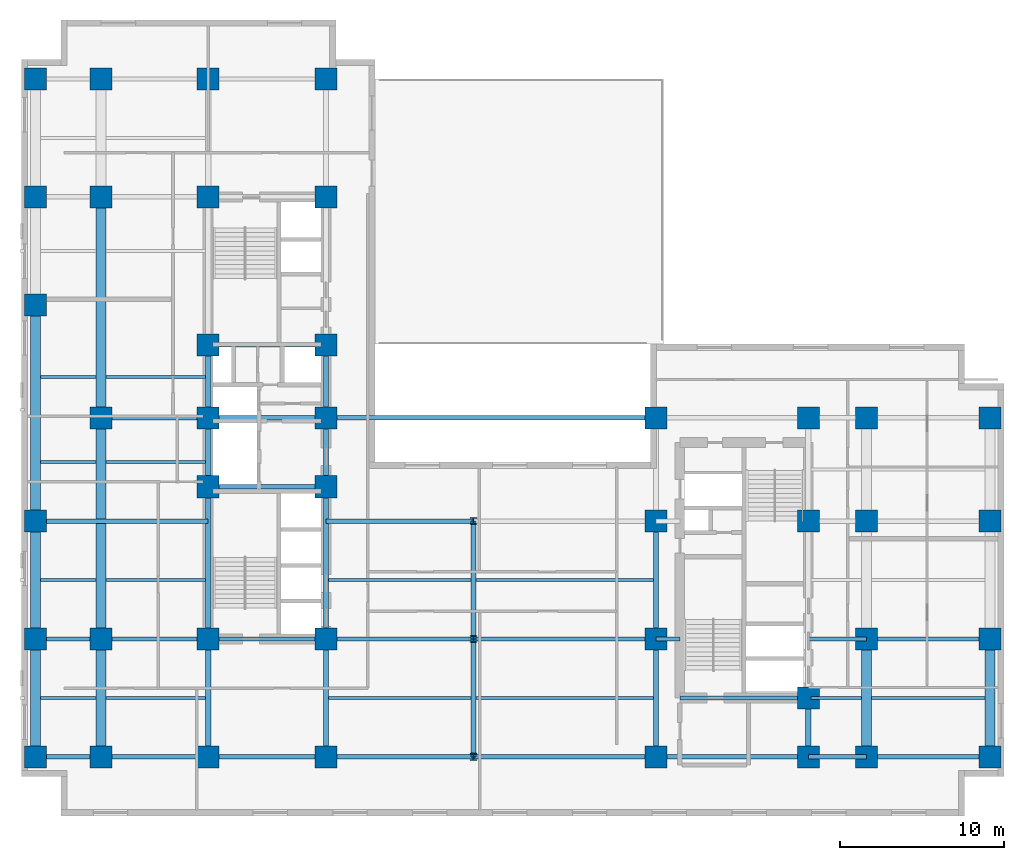
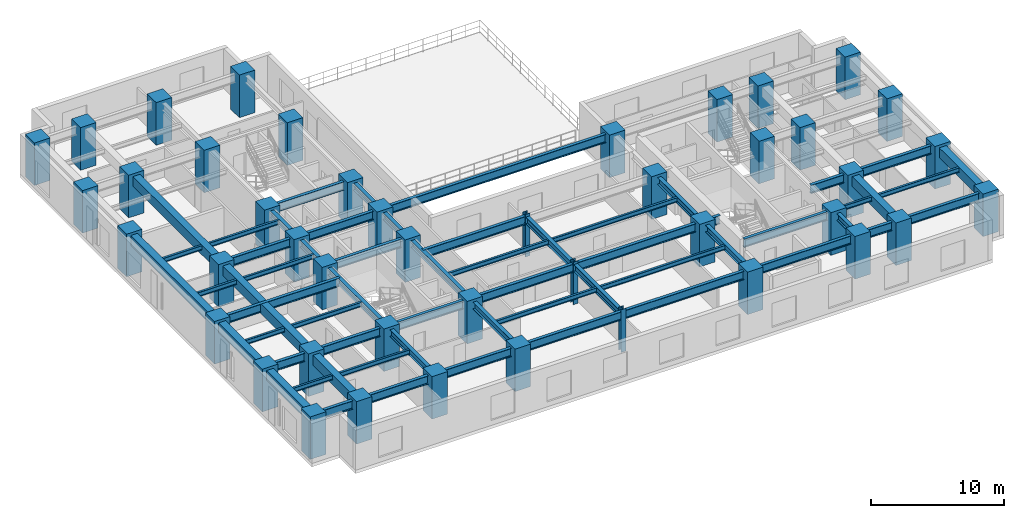
# One storey, part 1 of 10: 59 beams, 44 columns.
"""IFC4 building model written with IfcOpenShell, lengths in metres."""

from ifc_helpers import new_model, entity, si_unit, converted_unit, direction, frame, origin_with_axes, origin_2d_with_axis, place, context, subcontext, project, spatial, rectangle, i_section, extrude, material, material_profile, profile_set, type_object, element, save


model = new_model("IFC4")

# Units and contexts
model_context = context("Model", 3, precision=1e-05, world=origin_with_axes(), true_north=direction((0.0, 1.0)))
body_context = subcontext(model_context, "Body", "Model", "MODEL_VIEW")
ifc_project = project(units=[si_unit("LENGTHUNIT", "METRE"), si_unit("AREAUNIT", "SQUARE_METRE"), si_unit("VOLUMEUNIT", "CUBIC_METRE"), converted_unit("PLANEANGLEUNIT", "DEGREE", entity("IfcPlaneAngleMeasure", 0.017453292519943295), si_unit("PLANEANGLEUNIT", "RADIAN"), dimensions=[0, 0, 0, 0, 0, 0, 0]), si_unit("MASSUNIT", "GRAM", prefix="KILO"), si_unit("THERMODYNAMICTEMPERATUREUNIT", "KELVIN")], contexts=[model_context])

# Site, building, storey
site_placement = place(None, origin_with_axes())
site = spatial("IfcSite", under=ifc_project, at=site_placement, CompositionType="ELEMENT")
building_placement = place(site_placement, origin_with_axes())
building = spatial("IfcBuilding", under=site, at=building_placement, Name="Varnlund Millrace Tower", CompositionType="ELEMENT")
storey_placement = place(building_placement, frame((0.0, 0.0, 28.8), z_axis=(0.0, 0.0, 1.0), x_axis=(1.0, 0.0, 0.0)))
storey = spatial("IfcBuildingStorey", under=building, at=storey_placement, Name="L06", CompositionType="ELEMENT", Elevation=28.8)

# Columns
ifc_material_1 = material(Name="Steel ASTM A913 Grade 65", Category="steel")
ifc_material_profile_1 = material_profile(ifc_material_1, i_section(OverallWidth=0.406, OverallDepth=0.416, WebThickness=0.0298, FlangeThickness=0.048, FilletRadius=0.022, at=origin_2d_with_axis()), Name="Steel ASTM A913 Grade 65")
ifc_profile_set_1 = profile_set([ifc_material_profile_1], Name="Steel ASTM A913 Grade 65")
column_type_1 = type_object("IfcColumnType", Name="Type-Col-Int-W14X257", PredefinedType="COLUMN", material=ifc_profile_set_1)
for number, where, z_axis, x_axis, name in (
    (1, (27.6, 3.6, 0.0), (0.0, 0.0, 1.0), (1.0, 0.0, 0.0), "Type-Col-Int-W14X257"),
    (2, (27.6, 10.8, 0.0), (0.0, 0.0, 1.0), (1.0, 0.0, 0.0), "Type-Col-Int-W14X257"),
    (3, (27.6, 18.0, 0.0), (0.0, 0.0, 1.0), (1.0, 0.0, 0.0), "Type-Col-Int-W14X257"),
):
    element("IfcColumn", number, at=place(storey_placement, frame(where, z_axis=z_axis, x_axis=x_axis)), inside=storey, type_object=column_type_1, Name=name, PredefinedType="COLUMN", context=body_context, shape_type="SweptSolid", body=[
        extrude(i_section(OverallWidth=0.406, OverallDepth=0.416, WebThickness=0.0298, FlangeThickness=0.048, FilletRadius=0.022, at=origin_2d_with_axis()), origin_with_axes(), (0.0, 0.0, 1.0), 3.9),
    ])
ifc_material_2 = material(Name="Concrete C80/95", Category="concrete")
ifc_material_profile_2 = material_profile(ifc_material_2, rectangle(XDim=1.35, YDim=1.35, at=origin_2d_with_axis()), Name="Concrete C80/95")
ifc_profile_set_2 = profile_set([ifc_material_profile_2], Name="Concrete C80/95")
column_type_2 = type_object("IfcColumnType", Name="Type-Col-RC1350-C80", PredefinedType="COLUMN", material=ifc_profile_set_2)
for number, where, z_axis, x_axis, name in (
    (4, (11.4, 3.6, 0.0), (0.0, 0.0, 1.0), (1.0, 0.0, 0.0), "Type-Col-RC1350-C80"),
    (5, (11.4, 10.8, 0.0), (0.0, 0.0, 1.0), (1.0, 0.0, 0.0), "Type-Col-RC1350-C80"),
    (6, (11.4, 20.1, 0.0), (0.0, 0.0, 1.0), (1.0, 0.0, 0.0), "Type-Col-RC1350-C80"),
    (7, (11.4, 24.3, 0.0), (0.0, 0.0, 1.0), (1.0, 0.0, 0.0), "Type-Col-RC1350-C80"),
    (8, (11.4, 28.75, 0.0), (0.0, 0.0, 1.0), (1.0, 0.0, 0.0), "Type-Col-RC1350-C80"),
    (9, (11.4, 37.8, 0.0), (0.0, 0.0, 1.0), (1.0, 0.0, 0.0), "Type-Col-RC1350-C80"),
    (10, (11.4, 45.0, 0.0), (0.0, 0.0, 1.0), (1.0, 0.0, 0.0), "Type-Col-RC1350-C80"),
    (11, (18.6, 3.6, 0.0), (0.0, 0.0, 1.0), (1.0, 0.0, 0.0), "Type-Col-RC1350-C80"),
    (12, (18.6, 10.8, 0.0), (0.0, 0.0, 1.0), (1.0, 0.0, 0.0), "Type-Col-RC1350-C80"),
    (13, (18.6, 20.1, 0.0), (0.0, 0.0, 1.0), (1.0, 0.0, 0.0), "Type-Col-RC1350-C80"),
    (14, (18.6, 24.3, 0.0), (0.0, 0.0, 1.0), (1.0, 0.0, 0.0), "Type-Col-RC1350-C80"),
    (15, (18.6, 28.75, 0.0), (0.0, 0.0, 1.0), (1.0, 0.0, 0.0), "Type-Col-RC1350-C80"),
    (16, (18.6, 37.8, 0.0), (0.0, 0.0, 1.0), (1.0, 0.0, 0.0), "Type-Col-RC1350-C80"),
    (17, (18.6, 45.0, 0.0), (0.0, 0.0, 1.0), (1.0, 0.0, 0.0), "Type-Col-RC1350-C80"),
    (18, (4.85, 3.6, 0.0), (0.0, 0.0, 1.0), (1.0, 0.0, 0.0), "Type-Col-RC1350-C80"),
    (19, (4.85, 10.8, 0.0), (0.0, 0.0, 1.0), (1.0, 0.0, 0.0), "Type-Col-RC1350-C80"),
    (20, (4.85, 24.3, 0.0), (0.0, 0.0, 1.0), (1.0, 0.0, 0.0), "Type-Col-RC1350-C80"),
    (21, (4.85, 37.8, 0.0), (0.0, 0.0, 1.0), (1.0, 0.0, 0.0), "Type-Col-RC1350-C80"),
    (22, (4.85, 45.0, 0.0), (0.0, 0.0, 1.0), (1.0, 0.0, 0.0), "Type-Col-RC1350-C80"),
    (23, (0.85, 3.6, 0.0), (0.0, 0.0, 1.0), (1.0, 0.0, 0.0), "Type-Col-RC1350-C80"),
    (24, (0.85, 10.8, 0.0), (0.0, 0.0, 1.0), (1.0, 0.0, 0.0), "Type-Col-RC1350-C80"),
    (25, (0.85, 18.0, 0.0), (0.0, 0.0, 1.0), (1.0, 0.0, 0.0), "Type-Col-RC1350-C80"),
    (26, (0.85, 31.2, 0.0), (0.0, 0.0, 1.0), (1.0, 0.0, 0.0), "Type-Col-RC1350-C80"),
    (27, (0.85, 37.8, 0.0), (0.0, 0.0, 1.0), (1.0, 0.0, 0.0), "Type-Col-RC1350-C80"),
    (28, (0.85, 45.0, 0.0), (0.0, 0.0, 1.0), (1.0, 0.0, 0.0), "Type-Col-RC1350-C80"),
    (29, (38.75, 3.6, 0.0), (0.0, 0.0, 1.0), (1.0, 0.0, 0.0), "Type-Col-RC1350-C80"),
    (30, (38.75, 10.8, 0.0), (0.0, 0.0, 1.0), (1.0, 0.0, 0.0), "Type-Col-RC1350-C80"),
    (31, (38.75, 18.0, 0.0), (0.0, 0.0, 1.0), (1.0, 0.0, 0.0), "Type-Col-RC1350-C80"),
    (32, (38.75, 24.3, 0.0), (0.0, 0.0, 1.0), (1.0, 0.0, 0.0), "Type-Col-RC1350-C80"),
    (33, (48.05, 3.6, 0.0), (0.0, 0.0, 1.0), (1.0, 0.0, 0.0), "Type-Col-RC1350-C80"),
    (34, (48.05, 7.2, 0.0), (0.0, 0.0, 1.0), (1.0, 0.0, 0.0), "Type-Col-RC1350-C80"),
    (35, (48.05, 18.0, 0.0), (0.0, 0.0, 1.0), (1.0, 0.0, 0.0), "Type-Col-RC1350-C80"),
    (36, (48.05, 24.3, 0.0), (0.0, 0.0, 1.0), (1.0, 0.0, 0.0), "Type-Col-RC1350-C80"),
    (37, (51.6, 3.6, 0.0), (0.0, 0.0, 1.0), (1.0, 0.0, 0.0), "Type-Col-RC1350-C80"),
    (38, (51.6, 10.8, 0.0), (0.0, 0.0, 1.0), (1.0, 0.0, 0.0), "Type-Col-RC1350-C80"),
    (39, (51.6, 18.0, 0.0), (0.0, 0.0, 1.0), (1.0, 0.0, 0.0), "Type-Col-RC1350-C80"),
    (40, (51.6, 24.3, 0.0), (0.0, 0.0, 1.0), (1.0, 0.0, 0.0), "Type-Col-RC1350-C80"),
    (41, (59.15, 3.6, 0.0), (0.0, 0.0, 1.0), (1.0, 0.0, 0.0), "Type-Col-RC1350-C80"),
    (42, (59.15, 10.8, 0.0), (0.0, 0.0, 1.0), (1.0, 0.0, 0.0), "Type-Col-RC1350-C80"),
    (43, (59.15, 18.0, 0.0), (0.0, 0.0, 1.0), (1.0, 0.0, 0.0), "Type-Col-RC1350-C80"),
    (44, (59.15, 24.3, 0.0), (0.0, 0.0, 1.0), (1.0, 0.0, 0.0), "Type-Col-RC1350-C80"),
):
    element("IfcColumn", number, at=place(storey_placement, frame(where, z_axis=z_axis, x_axis=x_axis)), inside=storey, type_object=column_type_2, Name=name, PredefinedType="COLUMN", context=body_context, shape_type="SweptSolid", body=[
        extrude(rectangle(XDim=1.35, YDim=1.35, at=origin_2d_with_axis()), origin_with_axes(), (0.0, 0.0, 1.0), 3.9),
    ])

# Beams
ifc_material_3 = material(Name="Steel ASTM A992 Grade 50", Category="steel")
ifc_material_profile_3 = material_profile(ifc_material_3, i_section(OverallWidth=0.328, OverallDepth=0.628, WebThickness=0.0165, FlangeThickness=0.0277, FilletRadius=0.018, at=origin_2d_with_axis()), Name="Steel ASTM A992 Grade 50")
ifc_profile_set_3 = profile_set([ifc_material_profile_3], Name="Steel ASTM A992 Grade 50")
beam_type_1 = type_object("IfcBeamType", Name="Type-Girder-W24X146", PredefinedType="USERDEFINED", material=ifc_profile_set_3)
beam_1_placement = place(storey_placement, frame((11.4, 3.6, 3.346), z_axis=(0.0, 1.0, 0.0), x_axis=(-1.0, 0.0, 0.0)))
element("IfcBeam", 45, at=beam_1_placement, inside=storey, type_object=beam_type_1, Name="Type-Girder-W24X146", ObjectType="GIRDER", PredefinedType="USERDEFINED", context=body_context, shape_type="SweptSolid", body=[
    extrude(i_section(OverallWidth=0.328, OverallDepth=0.628, WebThickness=0.0165, FlangeThickness=0.0277, FilletRadius=0.018, at=origin_2d_with_axis()), origin_with_axes(), (0.0, 0.0, 1.0), 7.2),
])
beam_2_placement = place(storey_placement, frame((11.4, 10.8, 3.346), z_axis=(0.0, 1.0, 0.0), x_axis=(-1.0, 0.0, 0.0)))
element("IfcBeam", 46, at=beam_2_placement, inside=storey, type_object=beam_type_1, Name="Type-Girder-W24X146", ObjectType="GIRDER", PredefinedType="USERDEFINED", context=body_context, shape_type="SweptSolid", body=[
    extrude(i_section(OverallWidth=0.328, OverallDepth=0.628, WebThickness=0.0165, FlangeThickness=0.0277, FilletRadius=0.018, at=origin_2d_with_axis()), origin_with_axes(), (0.0, 0.0, 1.0), 9.3),
])
beam_3_placement = place(storey_placement, frame((11.4, 20.1, 3.346), z_axis=(0.0, 1.0, 0.0), x_axis=(-1.0, 0.0, 0.0)))
element("IfcBeam", 47, at=beam_3_placement, inside=storey, type_object=beam_type_1, Name="Type-Girder-W24X146", ObjectType="GIRDER", PredefinedType="USERDEFINED", context=body_context, shape_type="SweptSolid", body=[
    extrude(i_section(OverallWidth=0.328, OverallDepth=0.628, WebThickness=0.0165, FlangeThickness=0.0277, FilletRadius=0.018, at=origin_2d_with_axis()), origin_with_axes(), (0.0, 0.0, 1.0), 4.2),
])
beam_4_placement = place(storey_placement, frame((11.4, 24.3, 3.346), z_axis=(0.0, 1.0, 0.0), x_axis=(-1.0, 0.0, 0.0)))
element("IfcBeam", 48, at=beam_4_placement, inside=storey, type_object=beam_type_1, Name="Type-Girder-W24X146", ObjectType="GIRDER", PredefinedType="USERDEFINED", context=body_context, shape_type="SweptSolid", body=[
    extrude(i_section(OverallWidth=0.328, OverallDepth=0.628, WebThickness=0.0165, FlangeThickness=0.0277, FilletRadius=0.018, at=origin_2d_with_axis()), origin_with_axes(), (0.0, 0.0, 1.0), 4.45),
])
beam_5_placement = place(storey_placement, frame((18.6, 3.6, 3.346), z_axis=(0.0, 1.0, 0.0), x_axis=(-1.0, 0.0, 0.0)))
element("IfcBeam", 49, at=beam_5_placement, inside=storey, type_object=beam_type_1, Name="Type-Girder-W24X146", ObjectType="GIRDER", PredefinedType="USERDEFINED", context=body_context, shape_type="SweptSolid", body=[
    extrude(i_section(OverallWidth=0.328, OverallDepth=0.628, WebThickness=0.0165, FlangeThickness=0.0277, FilletRadius=0.018, at=origin_2d_with_axis()), origin_with_axes(), (0.0, 0.0, 1.0), 7.2),
])
beam_6_placement = place(storey_placement, frame((18.6, 10.8, 3.346), z_axis=(0.0, 1.0, 0.0), x_axis=(-1.0, 0.0, 0.0)))
element("IfcBeam", 50, at=beam_6_placement, inside=storey, type_object=beam_type_1, Name="Type-Girder-W24X146", ObjectType="GIRDER", PredefinedType="USERDEFINED", context=body_context, shape_type="SweptSolid", body=[
    extrude(i_section(OverallWidth=0.328, OverallDepth=0.628, WebThickness=0.0165, FlangeThickness=0.0277, FilletRadius=0.018, at=origin_2d_with_axis()), origin_with_axes(), (0.0, 0.0, 1.0), 9.3),
])
beam_7_placement = place(storey_placement, frame((18.6, 20.1, 3.346), z_axis=(0.0, 1.0, 0.0), x_axis=(-1.0, 0.0, 0.0)))
element("IfcBeam", 51, at=beam_7_placement, inside=storey, type_object=beam_type_1, Name="Type-Girder-W24X146", ObjectType="GIRDER", PredefinedType="USERDEFINED", context=body_context, shape_type="SweptSolid", body=[
    extrude(i_section(OverallWidth=0.328, OverallDepth=0.628, WebThickness=0.0165, FlangeThickness=0.0277, FilletRadius=0.018, at=origin_2d_with_axis()), origin_with_axes(), (0.0, 0.0, 1.0), 4.2),
])
beam_8_placement = place(storey_placement, frame((18.6, 24.3, 3.346), z_axis=(0.0, 1.0, 0.0), x_axis=(-1.0, 0.0, 0.0)))
element("IfcBeam", 52, at=beam_8_placement, inside=storey, type_object=beam_type_1, Name="Type-Girder-W24X146", ObjectType="GIRDER", PredefinedType="USERDEFINED", context=body_context, shape_type="SweptSolid", body=[
    extrude(i_section(OverallWidth=0.328, OverallDepth=0.628, WebThickness=0.0165, FlangeThickness=0.0277, FilletRadius=0.018, at=origin_2d_with_axis()), origin_with_axes(), (0.0, 0.0, 1.0), 4.45),
])
for number, where, z_axis, x_axis, name in (
    (53, (27.6, 3.6, 3.346), (0.0, 1.0, 0.0), (-1.0, 0.0, 0.0), "Type-Girder-W24X146"),
    (54, (27.6, 10.8, 3.346), (0.0, 1.0, 0.0), (-1.0, 0.0, 0.0), "Type-Girder-W24X146"),
    (55, (38.75, 3.6, 3.346), (0.0, 1.0, 0.0), (-1.0, 0.0, 0.0), "Type-Girder-W24X146"),
    (56, (38.75, 10.8, 3.346), (0.0, 1.0, 0.0), (-1.0, 0.0, 0.0), "Type-Girder-W24X146"),
):
    element("IfcBeam", number, at=place(storey_placement, frame(where, z_axis=z_axis, x_axis=x_axis)), inside=storey, type_object=beam_type_1, Name=name, ObjectType="GIRDER", PredefinedType="USERDEFINED", context=body_context, shape_type="SweptSolid", body=[
        extrude(i_section(OverallWidth=0.328, OverallDepth=0.628, WebThickness=0.0165, FlangeThickness=0.0277, FilletRadius=0.018, at=origin_2d_with_axis()), origin_with_axes(), (0.0, 0.0, 1.0), 7.2),
    ])
beam_9_placement = place(storey_placement, frame((48.05, 3.6, 3.346), z_axis=(0.0, 1.0, 0.0), x_axis=(-1.0, 0.0, 0.0)))
element("IfcBeam", 57, at=beam_9_placement, inside=storey, type_object=beam_type_1, Name="Type-Girder-W24X146", ObjectType="GIRDER", PredefinedType="USERDEFINED", context=body_context, shape_type="SweptSolid", body=[
    extrude(i_section(OverallWidth=0.328, OverallDepth=0.628, WebThickness=0.0165, FlangeThickness=0.0277, FilletRadius=0.018, at=origin_2d_with_axis()), origin_with_axes(), (0.0, 0.0, 1.0), 3.6),
])
ifc_material_profile_4 = material_profile(ifc_material_3, i_section(OverallWidth=0.266, OverallDepth=0.779, WebThickness=0.0165, FlangeThickness=0.03, FilletRadius=0.02, at=origin_2d_with_axis()), Name="Steel ASTM A992 Grade 50")
ifc_profile_set_4 = profile_set([ifc_material_profile_4], Name="Steel ASTM A992 Grade 50")
beam_type_2 = type_object("IfcBeamType", Name="Type-Girder-W30X148", PredefinedType="USERDEFINED", material=ifc_profile_set_4)
beam_10_placement = place(storey_placement, frame((0.85, 3.6, 3.2705), z_axis=(1.0, 0.0, 0.0), x_axis=(0.0, 1.0, 0.0)))
element("IfcBeam", 58, at=beam_10_placement, inside=storey, type_object=beam_type_2, Name="Type-Girder-W30X148", ObjectType="GIRDER", PredefinedType="USERDEFINED", context=body_context, shape_type="SweptSolid", body=[
    extrude(i_section(OverallWidth=0.266, OverallDepth=0.779, WebThickness=0.0165, FlangeThickness=0.03, FilletRadius=0.02, at=origin_2d_with_axis()), origin_with_axes(), (0.0, 0.0, 1.0), 4.0),
])
beam_11_placement = place(storey_placement, frame((4.85, 3.6, 3.2705), z_axis=(1.0, 0.0, 0.0), x_axis=(0.0, 1.0, 0.0)))
element("IfcBeam", 59, at=beam_11_placement, inside=storey, type_object=beam_type_2, Name="Type-Girder-W30X148", ObjectType="GIRDER", PredefinedType="USERDEFINED", context=body_context, shape_type="SweptSolid", body=[
    extrude(i_section(OverallWidth=0.266, OverallDepth=0.779, WebThickness=0.0165, FlangeThickness=0.03, FilletRadius=0.02, at=origin_2d_with_axis()), origin_with_axes(), (0.0, 0.0, 1.0), 6.55),
])
beam_12_placement = place(storey_placement, frame((11.4, 3.6, 3.2705), z_axis=(1.0, 0.0, 0.0), x_axis=(0.0, 1.0, 0.0)))
element("IfcBeam", 60, at=beam_12_placement, inside=storey, type_object=beam_type_2, Name="Type-Girder-W30X148", ObjectType="GIRDER", PredefinedType="USERDEFINED", context=body_context, shape_type="SweptSolid", body=[
    extrude(i_section(OverallWidth=0.266, OverallDepth=0.779, WebThickness=0.0165, FlangeThickness=0.03, FilletRadius=0.02, at=origin_2d_with_axis()), origin_with_axes(), (0.0, 0.0, 1.0), 7.2),
])
beam_13_placement = place(storey_placement, frame((18.6, 3.6, 3.2705), z_axis=(1.0, 0.0, 0.0), x_axis=(0.0, 1.0, 0.0)))
element("IfcBeam", 61, at=beam_13_placement, inside=storey, type_object=beam_type_2, Name="Type-Girder-W30X148", ObjectType="GIRDER", PredefinedType="USERDEFINED", context=body_context, shape_type="SweptSolid", body=[
    extrude(i_section(OverallWidth=0.266, OverallDepth=0.779, WebThickness=0.0165, FlangeThickness=0.03, FilletRadius=0.02, at=origin_2d_with_axis()), origin_with_axes(), (0.0, 0.0, 1.0), 9.0),
])
beam_14_placement = place(storey_placement, frame((27.6, 3.6, 3.2705), z_axis=(1.0, 0.0, 0.0), x_axis=(0.0, 1.0, 0.0)))
element("IfcBeam", 62, at=beam_14_placement, inside=storey, type_object=beam_type_2, Name="Type-Girder-W30X148", ObjectType="GIRDER", PredefinedType="USERDEFINED", context=body_context, shape_type="SweptSolid", body=[
    extrude(i_section(OverallWidth=0.266, OverallDepth=0.779, WebThickness=0.0165, FlangeThickness=0.03, FilletRadius=0.02, at=origin_2d_with_axis()), origin_with_axes(), (0.0, 0.0, 1.0), 11.15),
])
beam_15_placement = place(storey_placement, frame((38.75, 3.6, 3.2705), z_axis=(1.0, 0.0, 0.0), x_axis=(0.0, 1.0, 0.0)))
element("IfcBeam", 63, at=beam_15_placement, inside=storey, type_object=beam_type_2, Name="Type-Girder-W30X148", ObjectType="GIRDER", PredefinedType="USERDEFINED", context=body_context, shape_type="SweptSolid", body=[
    extrude(i_section(OverallWidth=0.266, OverallDepth=0.779, WebThickness=0.0165, FlangeThickness=0.03, FilletRadius=0.02, at=origin_2d_with_axis()), origin_with_axes(), (0.0, 0.0, 1.0), 9.3),
])
beam_16_placement = place(storey_placement, frame((48.05, 3.6, 3.2705), z_axis=(1.0, 0.0, 0.0), x_axis=(0.0, 1.0, 0.0)))
element("IfcBeam", 64, at=beam_16_placement, inside=storey, type_object=beam_type_2, Name="Type-Girder-W30X148", ObjectType="GIRDER", PredefinedType="USERDEFINED", context=body_context, shape_type="SweptSolid", body=[
    extrude(i_section(OverallWidth=0.266, OverallDepth=0.779, WebThickness=0.0165, FlangeThickness=0.03, FilletRadius=0.02, at=origin_2d_with_axis()), origin_with_axes(), (0.0, 0.0, 1.0), 3.55),
])
beam_17_placement = place(storey_placement, frame((51.6, 3.6, 3.2705), z_axis=(1.0, 0.0, 0.0), x_axis=(0.0, 1.0, 0.0)))
element("IfcBeam", 65, at=beam_17_placement, inside=storey, type_object=beam_type_2, Name="Type-Girder-W30X148", ObjectType="GIRDER", PredefinedType="USERDEFINED", context=body_context, shape_type="SweptSolid", body=[
    extrude(i_section(OverallWidth=0.266, OverallDepth=0.779, WebThickness=0.0165, FlangeThickness=0.03, FilletRadius=0.02, at=origin_2d_with_axis()), origin_with_axes(), (0.0, 0.0, 1.0), 7.55),
])
beam_18_placement = place(storey_placement, frame((40.2, 7.2, 3.2705), z_axis=(1.0, 0.0, 0.0), x_axis=(0.0, 1.0, 0.0)))
element("IfcBeam", 66, at=beam_18_placement, inside=storey, type_object=beam_type_2, Name="Type-Girder-W30X148", ObjectType="GIRDER", PredefinedType="USERDEFINED", context=body_context, shape_type="SweptSolid", body=[
    extrude(i_section(OverallWidth=0.266, OverallDepth=0.779, WebThickness=0.0165, FlangeThickness=0.03, FilletRadius=0.02, at=origin_2d_with_axis()), origin_with_axes(), (0.0, 0.0, 1.0), 7.85),
])
beam_19_placement = place(storey_placement, frame((0.85, 10.8, 3.2705), z_axis=(1.0, 0.0, 0.0), x_axis=(0.0, 1.0, 0.0)))
element("IfcBeam", 67, at=beam_19_placement, inside=storey, type_object=beam_type_2, Name="Type-Girder-W30X148", ObjectType="GIRDER", PredefinedType="USERDEFINED", context=body_context, shape_type="SweptSolid", body=[
    extrude(i_section(OverallWidth=0.266, OverallDepth=0.779, WebThickness=0.0165, FlangeThickness=0.03, FilletRadius=0.02, at=origin_2d_with_axis()), origin_with_axes(), (0.0, 0.0, 1.0), 4.0),
])
beam_20_placement = place(storey_placement, frame((4.85, 10.8, 3.2705), z_axis=(1.0, 0.0, 0.0), x_axis=(0.0, 1.0, 0.0)))
element("IfcBeam", 68, at=beam_20_placement, inside=storey, type_object=beam_type_2, Name="Type-Girder-W30X148", ObjectType="GIRDER", PredefinedType="USERDEFINED", context=body_context, shape_type="SweptSolid", body=[
    extrude(i_section(OverallWidth=0.266, OverallDepth=0.779, WebThickness=0.0165, FlangeThickness=0.03, FilletRadius=0.02, at=origin_2d_with_axis()), origin_with_axes(), (0.0, 0.0, 1.0), 6.55),
])
beam_21_placement = place(storey_placement, frame((11.4, 10.8, 3.2705), z_axis=(1.0, 0.0, 0.0), x_axis=(0.0, 1.0, 0.0)))
element("IfcBeam", 69, at=beam_21_placement, inside=storey, type_object=beam_type_2, Name="Type-Girder-W30X148", ObjectType="GIRDER", PredefinedType="USERDEFINED", context=body_context, shape_type="SweptSolid", body=[
    extrude(i_section(OverallWidth=0.266, OverallDepth=0.779, WebThickness=0.0165, FlangeThickness=0.03, FilletRadius=0.02, at=origin_2d_with_axis()), origin_with_axes(), (0.0, 0.0, 1.0), 7.2),
])
beam_22_placement = place(storey_placement, frame((18.6, 10.8, 3.2705), z_axis=(1.0, 0.0, 0.0), x_axis=(0.0, 1.0, 0.0)))
element("IfcBeam", 70, at=beam_22_placement, inside=storey, type_object=beam_type_2, Name="Type-Girder-W30X148", ObjectType="GIRDER", PredefinedType="USERDEFINED", context=body_context, shape_type="SweptSolid", body=[
    extrude(i_section(OverallWidth=0.266, OverallDepth=0.779, WebThickness=0.0165, FlangeThickness=0.03, FilletRadius=0.02, at=origin_2d_with_axis()), origin_with_axes(), (0.0, 0.0, 1.0), 9.0),
])
beam_23_placement = place(storey_placement, frame((27.6, 10.8, 3.2705), z_axis=(1.0, 0.0, 0.0), x_axis=(0.0, 1.0, 0.0)))
element("IfcBeam", 71, at=beam_23_placement, inside=storey, type_object=beam_type_2, Name="Type-Girder-W30X148", ObjectType="GIRDER", PredefinedType="USERDEFINED", context=body_context, shape_type="SweptSolid", body=[
    extrude(i_section(OverallWidth=0.266, OverallDepth=0.779, WebThickness=0.0165, FlangeThickness=0.03, FilletRadius=0.02, at=origin_2d_with_axis()), origin_with_axes(), (0.0, 0.0, 1.0), 11.15),
])
beam_24_placement = place(storey_placement, frame((38.75, 10.8, 3.2705), z_axis=(1.0, 0.0, 0.0), x_axis=(0.0, 1.0, 0.0)))
element("IfcBeam", 72, at=beam_24_placement, inside=storey, type_object=beam_type_2, Name="Type-Girder-W30X148", ObjectType="GIRDER", PredefinedType="USERDEFINED", context=body_context, shape_type="SweptSolid", body=[
    extrude(i_section(OverallWidth=0.266, OverallDepth=0.779, WebThickness=0.0165, FlangeThickness=0.03, FilletRadius=0.02, at=origin_2d_with_axis()), origin_with_axes(), (0.0, 0.0, 1.0), 1.45),
])
beam_25_placement = place(storey_placement, frame((48.05, 10.8, 3.2705), z_axis=(1.0, 0.0, 0.0), x_axis=(0.0, 1.0, 0.0)))
element("IfcBeam", 73, at=beam_25_placement, inside=storey, type_object=beam_type_2, Name="Type-Girder-W30X148", ObjectType="GIRDER", PredefinedType="USERDEFINED", context=body_context, shape_type="SweptSolid", body=[
    extrude(i_section(OverallWidth=0.266, OverallDepth=0.779, WebThickness=0.0165, FlangeThickness=0.03, FilletRadius=0.02, at=origin_2d_with_axis()), origin_with_axes(), (0.0, 0.0, 1.0), 3.55),
])
beam_26_placement = place(storey_placement, frame((51.6, 10.8, 3.2705), z_axis=(1.0, 0.0, 0.0), x_axis=(0.0, 1.0, 0.0)))
element("IfcBeam", 74, at=beam_26_placement, inside=storey, type_object=beam_type_2, Name="Type-Girder-W30X148", ObjectType="GIRDER", PredefinedType="USERDEFINED", context=body_context, shape_type="SweptSolid", body=[
    extrude(i_section(OverallWidth=0.266, OverallDepth=0.779, WebThickness=0.0165, FlangeThickness=0.03, FilletRadius=0.02, at=origin_2d_with_axis()), origin_with_axes(), (0.0, 0.0, 1.0), 7.55),
])
beam_27_placement = place(storey_placement, frame((0.85, 18.0, 3.2705), z_axis=(1.0, 0.0, 0.0), x_axis=(0.0, 1.0, 0.0)))
element("IfcBeam", 75, at=beam_27_placement, inside=storey, type_object=beam_type_2, Name="Type-Girder-W30X148", ObjectType="GIRDER", PredefinedType="USERDEFINED", context=body_context, shape_type="SweptSolid", body=[
    extrude(i_section(OverallWidth=0.266, OverallDepth=0.779, WebThickness=0.0165, FlangeThickness=0.03, FilletRadius=0.02, at=origin_2d_with_axis()), origin_with_axes(), (0.0, 0.0, 1.0), 10.55),
])
beam_28_placement = place(storey_placement, frame((18.6, 18.0, 3.2705), z_axis=(1.0, 0.0, 0.0), x_axis=(0.0, 1.0, 0.0)))
element("IfcBeam", 76, at=beam_28_placement, inside=storey, type_object=beam_type_2, Name="Type-Girder-W30X148", ObjectType="GIRDER", PredefinedType="USERDEFINED", context=body_context, shape_type="SweptSolid", body=[
    extrude(i_section(OverallWidth=0.266, OverallDepth=0.779, WebThickness=0.0165, FlangeThickness=0.03, FilletRadius=0.02, at=origin_2d_with_axis()), origin_with_axes(), (0.0, 0.0, 1.0), 9.0),
])
beam_29_placement = place(storey_placement, frame((11.4, 20.1, 3.2705), z_axis=(1.0, 0.0, 0.0), x_axis=(0.0, 1.0, 0.0)))
element("IfcBeam", 77, at=beam_29_placement, inside=storey, type_object=beam_type_2, Name="Type-Girder-W30X148", ObjectType="GIRDER", PredefinedType="USERDEFINED", context=body_context, shape_type="SweptSolid", body=[
    extrude(i_section(OverallWidth=0.266, OverallDepth=0.779, WebThickness=0.0165, FlangeThickness=0.03, FilletRadius=0.02, at=origin_2d_with_axis()), origin_with_axes(), (0.0, 0.0, 1.0), 7.2),
])
beam_30_placement = place(storey_placement, frame((4.85, 24.3, 3.2705), z_axis=(1.0, 0.0, 0.0), x_axis=(0.0, 1.0, 0.0)))
element("IfcBeam", 78, at=beam_30_placement, inside=storey, type_object=beam_type_2, Name="Type-Girder-W30X148", ObjectType="GIRDER", PredefinedType="USERDEFINED", context=body_context, shape_type="SweptSolid", body=[
    extrude(i_section(OverallWidth=0.266, OverallDepth=0.779, WebThickness=0.0165, FlangeThickness=0.03, FilletRadius=0.02, at=origin_2d_with_axis()), origin_with_axes(), (0.0, 0.0, 1.0), 6.55),
])
beam_31_placement = place(storey_placement, frame((11.4, 24.3, 3.2705), z_axis=(1.0, 0.0, 0.0), x_axis=(0.0, 1.0, 0.0)))
element("IfcBeam", 79, at=beam_31_placement, inside=storey, type_object=beam_type_2, Name="Type-Girder-W30X148", ObjectType="GIRDER", PredefinedType="USERDEFINED", context=body_context, shape_type="SweptSolid", body=[
    extrude(i_section(OverallWidth=0.266, OverallDepth=0.779, WebThickness=0.0165, FlangeThickness=0.03, FilletRadius=0.02, at=origin_2d_with_axis()), origin_with_axes(), (0.0, 0.0, 1.0), 7.2),
])
beam_32_placement = place(storey_placement, frame((18.6, 24.3, 3.2705), z_axis=(1.0, 0.0, 0.0), x_axis=(0.0, 1.0, 0.0)))
element("IfcBeam", 80, at=beam_32_placement, inside=storey, type_object=beam_type_2, Name="Type-Girder-W30X148", ObjectType="GIRDER", PredefinedType="USERDEFINED", context=body_context, shape_type="SweptSolid", body=[
    extrude(i_section(OverallWidth=0.266, OverallDepth=0.779, WebThickness=0.0165, FlangeThickness=0.03, FilletRadius=0.02, at=origin_2d_with_axis()), origin_with_axes(), (0.0, 0.0, 1.0), 20.15),
])
beam_33_placement = place(storey_placement, frame((11.4, 28.75, 3.2705), z_axis=(1.0, 0.0, 0.0), x_axis=(0.0, 1.0, 0.0)))
element("IfcBeam", 81, at=beam_33_placement, inside=storey, type_object=beam_type_2, Name="Type-Girder-W30X148", ObjectType="GIRDER", PredefinedType="USERDEFINED", context=body_context, shape_type="SweptSolid", body=[
    extrude(i_section(OverallWidth=0.266, OverallDepth=0.779, WebThickness=0.0165, FlangeThickness=0.03, FilletRadius=0.02, at=origin_2d_with_axis()), origin_with_axes(), (0.0, 0.0, 1.0), 7.2),
])
ifc_material_profile_5 = material_profile(ifc_material_3, i_section(OverallWidth=0.181, OverallDepth=0.417, WebThickness=0.0109, FlangeThickness=0.0182, FilletRadius=0.013, at=origin_2d_with_axis()), Name="Steel ASTM A992 Grade 50")
ifc_profile_set_5 = profile_set([ifc_material_profile_5], Name="Steel ASTM A992 Grade 50")
beam_type_3 = type_object("IfcBeamType", Name="Type-Joist-W16X57", PredefinedType="JOIST", material=ifc_profile_set_5)
for number, where, z_axis, x_axis, name in (
    (82, (1.15, 7.2, 3.4515), (1.0, 0.0, 0.0), (0.0, 1.0, 0.0), "Type-Joist-W16X57"),
    (83, (1.15, 14.4, 3.4515), (1.0, 0.0, 0.0), (0.0, 1.0, 0.0), "Type-Joist-W16X57"),
    (84, (1.15, 21.6, 3.4515), (1.0, 0.0, 0.0), (0.0, 1.0, 0.0), "Type-Joist-W16X57"),
    (85, (1.15, 26.8, 3.4515), (1.0, 0.0, 0.0), (0.0, 1.0, 0.0), "Type-Joist-W16X57"),
):
    element("IfcBeam", number, at=place(storey_placement, frame(where, z_axis=z_axis, x_axis=x_axis)), inside=storey, type_object=beam_type_3, Name=name, PredefinedType="JOIST", context=body_context, shape_type="SweptSolid", body=[
        extrude(i_section(OverallWidth=0.181, OverallDepth=0.417, WebThickness=0.0109, FlangeThickness=0.0182, FilletRadius=0.013, at=origin_2d_with_axis()), origin_with_axes(), (0.0, 0.0, 1.0), 3.4),
    ])
for number, where, z_axis, x_axis, name in (
    (86, (5.15, 7.2, 3.4515), (1.0, 0.0, 0.0), (0.0, 1.0, 0.0), "Type-Joist-W16X57"),
    (87, (5.15, 14.4, 3.4515), (1.0, 0.0, 0.0), (0.0, 1.0, 0.0), "Type-Joist-W16X57"),
    (88, (5.15, 21.6, 3.4515), (1.0, 0.0, 0.0), (0.0, 1.0, 0.0), "Type-Joist-W16X57"),
    (89, (5.15, 26.8, 3.4515), (1.0, 0.0, 0.0), (0.0, 1.0, 0.0), "Type-Joist-W16X57"),
):
    element("IfcBeam", number, at=place(storey_placement, frame(where, z_axis=z_axis, x_axis=x_axis)), inside=storey, type_object=beam_type_3, Name=name, PredefinedType="JOIST", context=body_context, shape_type="SweptSolid", body=[
        extrude(i_section(OverallWidth=0.181, OverallDepth=0.417, WebThickness=0.0109, FlangeThickness=0.0182, FilletRadius=0.013, at=origin_2d_with_axis()), origin_with_axes(), (0.0, 0.0, 1.0), 6.086),
    ])
beam_34_placement = place(storey_placement, frame((48.214, 7.2, 3.4515), z_axis=(1.0, 0.0, 0.0), x_axis=(0.0, 1.0, 0.0)))
element("IfcBeam", 90, at=beam_34_placement, inside=storey, type_object=beam_type_3, Name="Type-Joist-W16X57", PredefinedType="JOIST", context=body_context, shape_type="SweptSolid", body=[
    extrude(i_section(OverallWidth=0.181, OverallDepth=0.417, WebThickness=0.0109, FlangeThickness=0.0182, FilletRadius=0.013, at=origin_2d_with_axis()), origin_with_axes(), (0.0, 0.0, 1.0), 3.086),
])
beam_35_placement = place(storey_placement, frame((51.9, 7.2, 3.4515), z_axis=(1.0, 0.0, 0.0), x_axis=(0.0, 1.0, 0.0)))
element("IfcBeam", 91, at=beam_35_placement, inside=storey, type_object=beam_type_3, Name="Type-Joist-W16X57", PredefinedType="JOIST", context=body_context, shape_type="SweptSolid", body=[
    extrude(i_section(OverallWidth=0.181, OverallDepth=0.417, WebThickness=0.0109, FlangeThickness=0.0182, FilletRadius=0.013, at=origin_2d_with_axis()), origin_with_axes(), (0.0, 0.0, 1.0), 6.95),
])
for number, where, z_axis, x_axis, name in (
    (92, (18.764, 7.2, 3.4515), (1.0, 0.0, 0.0), (0.0, 1.0, 0.0), "Type-Joist-W16X57"),
    (93, (18.764, 14.4, 3.4515), (1.0, 0.0, 0.0), (0.0, 1.0, 0.0), "Type-Joist-W16X57"),
):
    element("IfcBeam", number, at=place(storey_placement, frame(where, z_axis=z_axis, x_axis=x_axis)), inside=storey, type_object=beam_type_3, Name=name, PredefinedType="JOIST", context=body_context, shape_type="SweptSolid", body=[
        extrude(i_section(OverallWidth=0.181, OverallDepth=0.417, WebThickness=0.0109, FlangeThickness=0.0182, FilletRadius=0.013, at=origin_2d_with_axis()), origin_with_axes(), (0.0, 0.0, 1.0), 8.672),
    ])
for number, where, z_axis, x_axis, name in (
    (94, (27.764, 7.2, 3.4515), (1.0, 0.0, 0.0), (0.0, 1.0, 0.0), "Type-Joist-W16X57"),
    (95, (27.764, 14.4, 3.4515), (1.0, 0.0, 0.0), (0.0, 1.0, 0.0), "Type-Joist-W16X57"),
):
    element("IfcBeam", number, at=place(storey_placement, frame(where, z_axis=z_axis, x_axis=x_axis)), inside=storey, type_object=beam_type_3, Name=name, PredefinedType="JOIST", context=body_context, shape_type="SweptSolid", body=[
        extrude(i_section(OverallWidth=0.181, OverallDepth=0.417, WebThickness=0.0109, FlangeThickness=0.0182, FilletRadius=0.013, at=origin_2d_with_axis()), origin_with_axes(), (0.0, 0.0, 1.0), 10.822),
    ])
ifc_material_4 = material(Name="Concrete C70/85", Category="concrete")
ifc_material_profile_6 = material_profile(ifc_material_4, rectangle(XDim=0.6, YDim=0.9, at=origin_2d_with_axis()), Name="Concrete C70/85")
ifc_profile_set_6 = profile_set([ifc_material_profile_6], Name="Concrete C70/85")
beam_type_4 = type_object("IfcBeamType", Name="Type-Spandrel-RC600X900", PredefinedType="SPANDREL", material=ifc_profile_set_6)
for number, where, z_axis, x_axis, name in (
    (96, (0.85, 3.6, 3.21), (0.0, 1.0, 0.0), (-1.0, 0.0, 0.0), "Type-Spandrel-RC600X900"),
    (97, (0.85, 10.8, 3.21), (0.0, 1.0, 0.0), (-1.0, 0.0, 0.0), "Type-Spandrel-RC600X900"),
):
    element("IfcBeam", number, at=place(storey_placement, frame(where, z_axis=z_axis, x_axis=x_axis)), inside=storey, type_object=beam_type_4, Name=name, PredefinedType="SPANDREL", context=body_context, shape_type="SweptSolid", body=[
        extrude(rectangle(XDim=0.6, YDim=0.9, at=origin_2d_with_axis()), origin_with_axes(), (0.0, 0.0, 1.0), 7.2),
    ])
beam_36_placement = place(storey_placement, frame((0.85, 18.0, 3.21), z_axis=(0.0, 1.0, 0.0), x_axis=(-1.0, 0.0, 0.0)))
element("IfcBeam", 98, at=beam_36_placement, inside=storey, type_object=beam_type_4, Name="Type-Spandrel-RC600X900", PredefinedType="SPANDREL", context=body_context, shape_type="SweptSolid", body=[
    extrude(rectangle(XDim=0.6, YDim=0.9, at=origin_2d_with_axis()), origin_with_axes(), (0.0, 0.0, 1.0), 13.2),
])
beam_37_placement = place(storey_placement, frame((4.85, 3.6, 3.21), z_axis=(0.0, 1.0, 0.0), x_axis=(-1.0, 0.0, 0.0)))
element("IfcBeam", 99, at=beam_37_placement, inside=storey, type_object=beam_type_4, Name="Type-Spandrel-RC600X900", PredefinedType="SPANDREL", context=body_context, shape_type="SweptSolid", body=[
    extrude(rectangle(XDim=0.6, YDim=0.9, at=origin_2d_with_axis()), origin_with_axes(), (0.0, 0.0, 1.0), 7.2),
])
for number, where, z_axis, x_axis, name in (
    (100, (4.85, 10.8, 3.21), (0.0, 1.0, 0.0), (-1.0, 0.0, 0.0), "Type-Spandrel-RC600X900"),
    (101, (4.85, 24.3, 3.21), (0.0, 1.0, 0.0), (-1.0, 0.0, 0.0), "Type-Spandrel-RC600X900"),
):
    element("IfcBeam", number, at=place(storey_placement, frame(where, z_axis=z_axis, x_axis=x_axis)), inside=storey, type_object=beam_type_4, Name=name, PredefinedType="SPANDREL", context=body_context, shape_type="SweptSolid", body=[
        extrude(rectangle(XDim=0.6, YDim=0.9, at=origin_2d_with_axis()), origin_with_axes(), (0.0, 0.0, 1.0), 13.5),
    ])
for number, where, z_axis, x_axis, name in (
    (102, (51.6, 3.6, 3.21), (0.0, 1.0, 0.0), (-1.0, 0.0, 0.0), "Type-Spandrel-RC600X900"),
    (103, (59.15, 3.6, 3.21), (0.0, 1.0, 0.0), (-1.0, 0.0, 0.0), "Type-Spandrel-RC600X900"),
):
    element("IfcBeam", number, at=place(storey_placement, frame(where, z_axis=z_axis, x_axis=x_axis)), inside=storey, type_object=beam_type_4, Name=name, PredefinedType="SPANDREL", context=body_context, shape_type="SweptSolid", body=[
        extrude(rectangle(XDim=0.6, YDim=0.9, at=origin_2d_with_axis()), origin_with_axes(), (0.0, 0.0, 1.0), 7.2),
    ])

save(model, "model.ifc")
